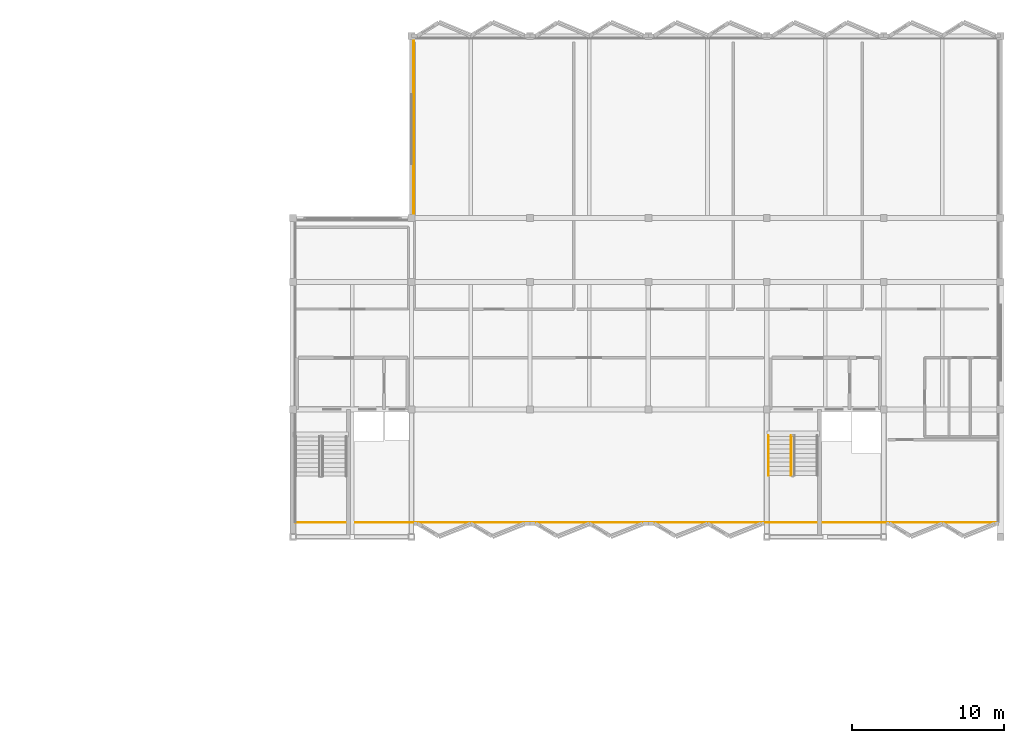
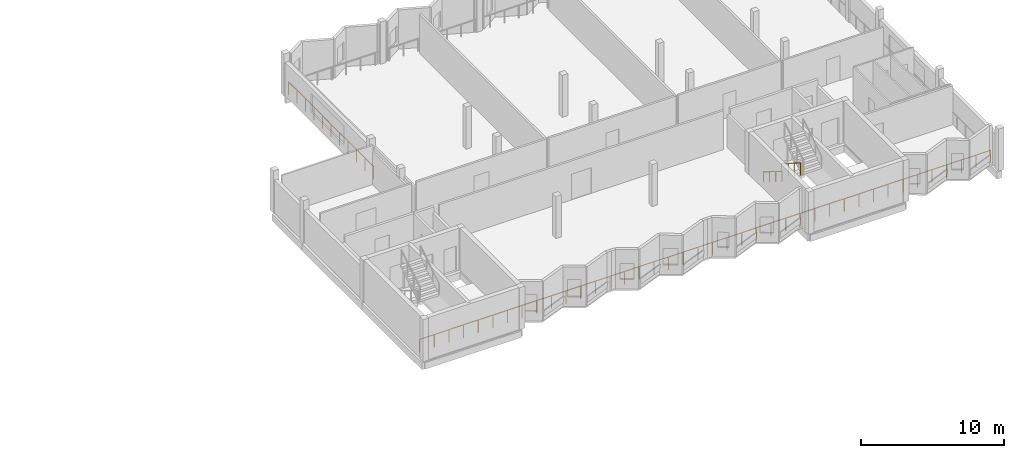
# One storey, part 23 of 25: 4 railings.
"""IFC4 building model written with IfcOpenShell, lengths in metres."""

from ifc_helpers import new_model, si_unit, direction, frame, origin, origin_2d, place, context, subcontext, project, spatial, circle, extrude, material, type_object, element, save


model = new_model("IFC4")

# Units and contexts
model_context = context("Model", 3, precision=1e-05, world=origin(), true_north=direction((0.0, 1.0)))
body_context = subcontext(model_context, "Body", "Model", "MODEL_VIEW")
ifc_project = project(units=[si_unit("LENGTHUNIT", "METRE"), si_unit("AREAUNIT", "SQUARE_METRE"), si_unit("VOLUMEUNIT", "CUBIC_METRE"), si_unit("PLANEANGLEUNIT", "RADIAN"), si_unit("MASSUNIT", "GRAM", prefix="KILO")], contexts=[model_context])

# Site, building, storey
site_placement = place(None, origin())
site = spatial("IfcSite", under=ifc_project, at=site_placement, CompositionType="ELEMENT")
building_placement = place(site_placement, origin())
building = spatial("IfcBuilding", under=site, at=building_placement, Name="Vharandega Faculty of Natural Sciences", CompositionType="ELEMENT")
storey_placement = place(building_placement, frame((0.0, 0.0, 25.199951171875)))
storey = spatial("IfcBuildingStorey", under=building, at=storey_placement, Name="L06", CompositionType="ELEMENT", Elevation=25.199951171875)

# Railings
ifc_material_1 = material(Name="Brushed stainless steel handrail", Category="steel")
railing_type_1 = type_object("IfcRailingType", Name="Stair Tubular Handrail 900", PredefinedType="HANDRAIL", material=ifc_material_1)
railing_1_placement = place(storey_placement, frame((146.110107421875, 70.659912109375, 0.179931640625)))
element("IfcRailing", 1, at=railing_1_placement, inside=storey, type_object=railing_type_1, Name="L06 ST2 stair handrail 1", PredefinedType="HANDRAIL", context=body_context, shape_type="SweptSolid", body=[
    extrude(circle(Radius=0.02392578125, at=origin_2d()), frame((0.0, 0.0, 0.8759765625), z_axis=(0.0, -0.849610693518, 0.52741034258), x_axis=(1.0, 0.0, 0.0)), (0.0, 0.0, 1.0), 3.07177734375),
    extrude(circle(Radius=0.02099609375, at=origin_2d()), origin(), (0.0, 0.0, 1.0), 0.851806640625),
    extrude(circle(Radius=0.02099609375, at=origin_2d()), frame((0.0, -0.869873046875, 0.5400390625)), (0.0, 0.0, 1.0), 0.851806640625),
    extrude(circle(Radius=0.02099609375, at=origin_2d()), frame((0.0, -1.739990234375, 1.080078125)), (0.0, 0.0, 1.0), 0.851806640625),
    extrude(circle(Radius=0.02099609375, at=origin_2d()), frame((0.0, -2.60986328125, 1.6201171875)), (0.0, 0.0, 1.0), 0.851806640625),
])
ifc_material_2 = material(Name="Painted steel stair guardrail", Category="steel")
railing_type_2 = type_object("IfcRailingType", Name="Stairwell Steel Guardrail 1100", PredefinedType="GUARDRAIL", material=ifc_material_2)
railing_2_placement = place(storey_placement, frame((147.610107421875, 70.659912109375, 0.179931640625)))
element("IfcRailing", 2, at=railing_2_placement, inside=storey, type_object=railing_type_2, Name="L06 ST2 stair guard 1", PredefinedType="GUARDRAIL", context=body_context, shape_type="SweptSolid", body=[
    extrude(circle(Radius=0.02392578125, at=origin_2d()), frame((0.0, 0.0, 1.076171875), z_axis=(0.0, -0.849610693518, 0.52741034258), x_axis=(1.0, 0.0, 0.0)), (0.0, 0.0, 1.0), 3.07177734375),
    extrude(circle(Radius=0.02099609375, at=origin_2d()), origin(), (0.0, 0.0, 1.0), 1.052001953125),
    extrude(circle(Radius=0.02099609375, at=origin_2d()), frame((0.0, -0.869873046875, 0.5400390625)), (0.0, 0.0, 1.0), 1.052001953125),
    extrude(circle(Radius=0.02099609375, at=origin_2d()), frame((0.0, -1.739990234375, 1.080078125)), (0.0, 0.0, 1.0), 1.052001953125),
    extrude(circle(Radius=0.02099609375, at=origin_2d()), frame((0.0, -2.60986328125, 1.6201171875)), (0.0, 0.0, 1.0), 1.052001953125),
])
ifc_material_3 = material(Name="Galvanised painted steel balustrade", Category="steel")
railing_type_3 = type_object("IfcRailingType", Name="Terrace Steel Guardrail 1100", PredefinedType="GUARDRAIL", material=ifc_material_3)
railing_3_placement = place(storey_placement, frame((114.97509765625, 64.949951171875, 0.0)))
element("IfcRailing", 3, at=railing_3_placement, inside=storey, type_object=railing_type_3, Name="Perimeter Sill Guard L06 #1", PredefinedType="GUARDRAIL", context=body_context, shape_type="SweptSolid", body=[
    extrude(circle(Radius=0.02392578125, at=origin_2d()), frame((0.0, 0.0, 1.076171875), z_axis=(1.0, 0.0, 0.0), x_axis=(0.0, 1.0, 0.0)), (0.0, 0.0, 1.0), 46.25),
    extrude(circle(Radius=0.02099609375, at=origin_2d()), origin(), (0.0, 0.0, 1.0), 1.052001953125),
    extrude(circle(Radius=0.02099609375, at=origin_2d()), frame((1.185791015625, 0.0, 0.0)), (0.0, 0.0, 1.0), 1.052001953125),
    extrude(circle(Radius=0.02099609375, at=origin_2d()), frame((2.371826171875, 0.0, 0.0)), (0.0, 0.0, 1.0), 1.052001953125),
    extrude(circle(Radius=0.02099609375, at=origin_2d()), frame((3.5576171875, 0.0, 0.0)), (0.0, 0.0, 1.0), 1.052001953125),
    extrude(circle(Radius=0.02099609375, at=origin_2d()), frame((4.74365234375, 0.0, 0.0)), (0.0, 0.0, 1.0), 1.052001953125),
    extrude(circle(Radius=0.02099609375, at=origin_2d()), frame((5.929443359375, 0.0, 0.0)), (0.0, 0.0, 1.0), 1.052001953125),
    extrude(circle(Radius=0.02099609375, at=origin_2d()), frame((7.115478515625, 0.0, 0.0)), (0.0, 0.0, 1.0), 1.052001953125),
    extrude(circle(Radius=0.02099609375, at=origin_2d()), frame((8.30126953125, 0.0, 0.0)), (0.0, 0.0, 1.0), 1.052001953125),
    extrude(circle(Radius=0.02099609375, at=origin_2d()), frame((9.487060546875, 0.0, 0.0)), (0.0, 0.0, 1.0), 1.052001953125),
    extrude(circle(Radius=0.02099609375, at=origin_2d()), frame((10.673095703125, 0.0, 0.0)), (0.0, 0.0, 1.0), 1.052001953125),
    extrude(circle(Radius=0.02099609375, at=origin_2d()), frame((11.85888671875, 0.0, 0.0)), (0.0, 0.0, 1.0), 1.052001953125),
    extrude(circle(Radius=0.02099609375, at=origin_2d()), frame((13.044921875, 0.0, 0.0)), (0.0, 0.0, 1.0), 1.052001953125),
    extrude(circle(Radius=0.02099609375, at=origin_2d()), frame((14.230712890625, 0.0, 0.0)), (0.0, 0.0, 1.0), 1.052001953125),
    extrude(circle(Radius=0.02099609375, at=origin_2d()), frame((15.416748046875, 0.0, 0.0)), (0.0, 0.0, 1.0), 1.052001953125),
    extrude(circle(Radius=0.02099609375, at=origin_2d()), frame((16.6025390625, 0.0, 0.0)), (0.0, 0.0, 1.0), 1.052001953125),
    extrude(circle(Radius=0.02099609375, at=origin_2d()), frame((17.78857421875, 0.0, 0.0)), (0.0, 0.0, 1.0), 1.052001953125),
    extrude(circle(Radius=0.02099609375, at=origin_2d()), frame((18.974365234375, 0.0, 0.0)), (0.0, 0.0, 1.0), 1.052001953125),
    extrude(circle(Radius=0.02099609375, at=origin_2d()), frame((20.16015625, 0.0, 0.0)), (0.0, 0.0, 1.0), 1.052001953125),
    extrude(circle(Radius=0.02099609375, at=origin_2d()), frame((21.34619140625, 0.0, 0.0)), (0.0, 0.0, 1.0), 1.052001953125),
    extrude(circle(Radius=0.02099609375, at=origin_2d()), frame((22.531982421875, 0.0, 0.0)), (0.0, 0.0, 1.0), 1.052001953125),
    extrude(circle(Radius=0.02099609375, at=origin_2d()), frame((23.718017578125, 0.0, 0.0)), (0.0, 0.0, 1.0), 1.052001953125),
    extrude(circle(Radius=0.02099609375, at=origin_2d()), frame((24.90380859375, 0.0, 0.0)), (0.0, 0.0, 1.0), 1.052001953125),
    extrude(circle(Radius=0.02099609375, at=origin_2d()), frame((26.08984375, 0.0, 0.0)), (0.0, 0.0, 1.0), 1.052001953125),
    extrude(circle(Radius=0.02099609375, at=origin_2d()), frame((27.275634765625, 0.0, 0.0)), (0.0, 0.0, 1.0), 1.052001953125),
    extrude(circle(Radius=0.02099609375, at=origin_2d()), frame((28.46142578125, 0.0, 0.0)), (0.0, 0.0, 1.0), 1.052001953125),
    extrude(circle(Radius=0.02099609375, at=origin_2d()), frame((29.6474609375, 0.0, 0.0)), (0.0, 0.0, 1.0), 1.052001953125),
    extrude(circle(Radius=0.02099609375, at=origin_2d()), frame((30.833251953125, 0.0, 0.0)), (0.0, 0.0, 1.0), 1.052001953125),
    extrude(circle(Radius=0.02099609375, at=origin_2d()), frame((32.019287109375, 0.0, 0.0)), (0.0, 0.0, 1.0), 1.052001953125),
    extrude(circle(Radius=0.02099609375, at=origin_2d()), frame((33.205078125, 0.0, 0.0)), (0.0, 0.0, 1.0), 1.052001953125),
    extrude(circle(Radius=0.02099609375, at=origin_2d()), frame((34.39111328125, 0.0, 0.0)), (0.0, 0.0, 1.0), 1.052001953125),
    extrude(circle(Radius=0.02099609375, at=origin_2d()), frame((35.576904296875, 0.0, 0.0)), (0.0, 0.0, 1.0), 1.052001953125),
    extrude(circle(Radius=0.02099609375, at=origin_2d()), frame((36.762939453125, 0.0, 0.0)), (0.0, 0.0, 1.0), 1.052001953125),
    extrude(circle(Radius=0.02099609375, at=origin_2d()), frame((37.94873046875, 0.0, 0.0)), (0.0, 0.0, 1.0), 1.052001953125),
    extrude(circle(Radius=0.02099609375, at=origin_2d()), frame((39.134521484375, 0.0, 0.0)), (0.0, 0.0, 1.0), 1.052001953125),
    extrude(circle(Radius=0.02099609375, at=origin_2d()), frame((40.320556640625, 0.0, 0.0)), (0.0, 0.0, 1.0), 1.052001953125),
    extrude(circle(Radius=0.02099609375, at=origin_2d()), frame((41.50634765625, 0.0, 0.0)), (0.0, 0.0, 1.0), 1.052001953125),
    extrude(circle(Radius=0.02099609375, at=origin_2d()), frame((42.6923828125, 0.0, 0.0)), (0.0, 0.0, 1.0), 1.052001953125),
    extrude(circle(Radius=0.02099609375, at=origin_2d()), frame((43.878173828125, 0.0, 0.0)), (0.0, 0.0, 1.0), 1.052001953125),
    extrude(circle(Radius=0.02099609375, at=origin_2d()), frame((45.064208984375, 0.0, 0.0)), (0.0, 0.0, 1.0), 1.052001953125),
    extrude(circle(Radius=0.02099609375, at=origin_2d()), frame((46.25, 0.0, 0.0)), (0.0, 0.0, 1.0), 1.052001953125),
])
railing_4_placement = place(storey_placement, frame((122.75, 96.824951171875, 0.0)))
element("IfcRailing", 4, at=railing_4_placement, inside=storey, type_object=railing_type_3, Name="Perimeter Sill Guard L06 #4", PredefinedType="GUARDRAIL", context=body_context, shape_type="SweptSolid", body=[
    extrude(circle(Radius=0.02392578125, at=origin_2d()), frame((0.0, 0.0, 1.076171875), z_axis=(0.0, -1.0, 0.0), x_axis=(1.0, 0.0, 0.0)), (0.0, 0.0, 1.0), 11.949951171875),
    extrude(circle(Radius=0.02099609375, at=origin_2d()), origin(), (0.0, 0.0, 1.0), 1.052001953125),
    extrude(circle(Radius=0.02099609375, at=origin_2d()), frame((0.0, -1.195068359375, 0.0)), (0.0, 0.0, 1.0), 1.052001953125),
    extrude(circle(Radius=0.02099609375, at=origin_2d()), frame((0.0, -2.389892578125, 0.0)), (0.0, 0.0, 1.0), 1.052001953125),
    extrude(circle(Radius=0.02099609375, at=origin_2d()), frame((0.0, -3.5849609375, 0.0)), (0.0, 0.0, 1.0), 1.052001953125),
    extrude(circle(Radius=0.02099609375, at=origin_2d()), frame((0.0, -4.780029296875, 0.0)), (0.0, 0.0, 1.0), 1.052001953125),
    extrude(circle(Radius=0.02099609375, at=origin_2d()), frame((0.0, -5.97509765625, 0.0)), (0.0, 0.0, 1.0), 1.052001953125),
    extrude(circle(Radius=0.02099609375, at=origin_2d()), frame((0.0, -7.169921875, 0.0)), (0.0, 0.0, 1.0), 1.052001953125),
    extrude(circle(Radius=0.02099609375, at=origin_2d()), frame((0.0, -8.364990234375, 0.0)), (0.0, 0.0, 1.0), 1.052001953125),
    extrude(circle(Radius=0.02099609375, at=origin_2d()), frame((0.0, -9.56005859375, 0.0)), (0.0, 0.0, 1.0), 1.052001953125),
    extrude(circle(Radius=0.02099609375, at=origin_2d()), frame((0.0, -10.7548828125, 0.0)), (0.0, 0.0, 1.0), 1.052001953125),
    extrude(circle(Radius=0.02099609375, at=origin_2d()), frame((0.0, -11.949951171875, 0.0)), (0.0, 0.0, 1.0), 1.052001953125),
])

save(model, "model.ifc")
